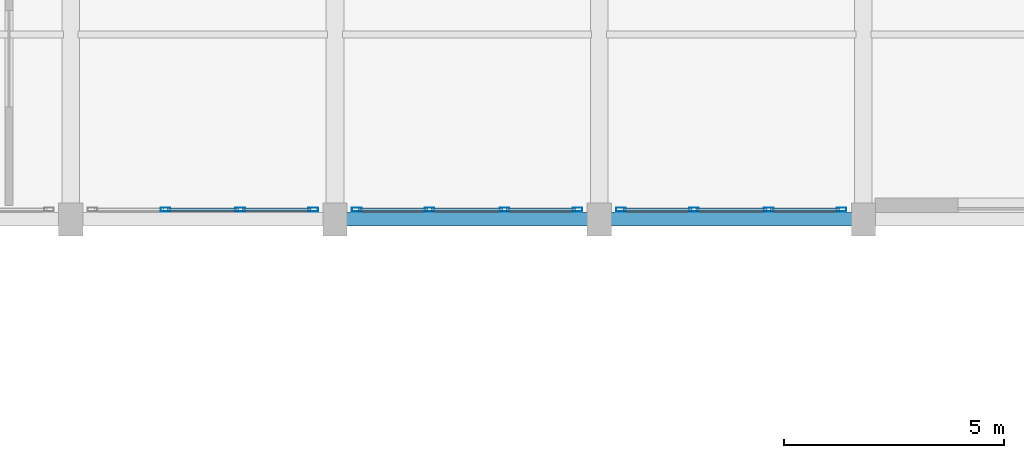
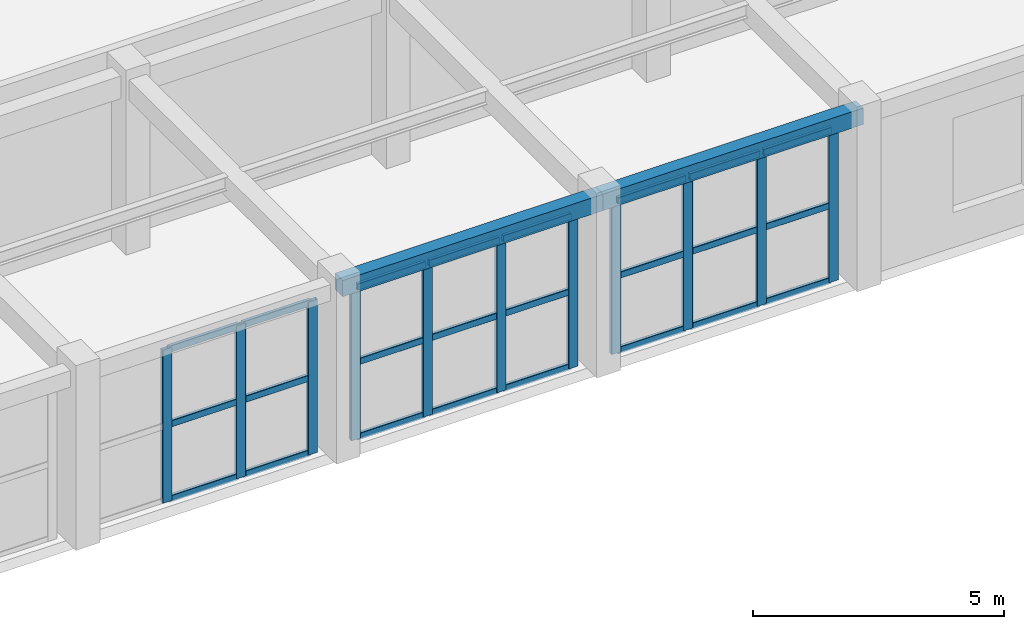
# One storey, part 53 of 91: 35 members, 2 beams, 3 elements without a shape of their own.
"""IFC4 building model written with IfcOpenShell, lengths in metres."""

import ifcopenshell
import ifcopenshell.guid

model = None  # the IFC model being written
_history = None  # IfcOwnerHistory: only IFC2X3 demands one
_inside = {}  # id of a spatial element -> (the spatial element, [elements in it])
_under = {}  # id of a project, library or spatial element -> (it, [spatial elements below it])
_declared = {}  # id of a project -> (the project, [libraries it declares])
_typed = {}  # id of a type object -> (the type object, [elements of that type])
_made_of = {}  # id of a material, layer set ... -> (it, [elements and type objects made of it])


def new_model(schema):
    """Start an empty IFC model of exactly this schema.

    Asked for "IFC4X3", IfcOpenShell would pick the latest addendum, in which some entities
    have other attributes; the version numbers below select the first issue.
    IFC2X3 requires an IfcOwnerHistory on every rooted entity: one is made here for all.
    """
    global model, _history
    if schema == "IFC4X3":
        model = ifcopenshell.file(schema_version=(4, 3, 0, 0))
    else:
        model = ifcopenshell.file(schema=schema)
    _inside.clear()
    _under.clear()
    _declared.clear()
    _typed.clear()
    _made_of.clear()
    _history = None
    if model.schema == "IFC2X3":
        org = make("IfcOrganization", Name="unknown")
        user = make(
            "IfcPersonAndOrganization",
            ThePerson=make("IfcPerson", FamilyName="unknown"),
            TheOrganization=org,
        )
        app = make(
            "IfcApplication",
            ApplicationDeveloper=org,
            Version="unknown",
            ApplicationFullName="unknown",
            ApplicationIdentifier="unknown",
        )
        _history = make(
            "IfcOwnerHistory",
            OwningUser=user,
            OwningApplication=app,
            ChangeAction="ADDED",
            CreationDate=0,
        )
    return model


def make(cls, **values):
    """One entity of the class cls with the attributes given. An attribute that is None is left unset."""
    return model.create_entity(
        cls, **{name: value for name, value in values.items() if value is not None}
    )


def rooted(cls, **values):
    """An entity with a GlobalId (a new one), such as an element, a storey or a relation."""
    return make(cls, GlobalId=ifcopenshell.guid.new(), OwnerHistory=_history, **values)


def si_unit(unit_type, name, prefix=None):
    """IfcSIUnit, for example si_unit("LENGTHUNIT", "METRE", prefix="MILLI")."""
    return make("IfcSIUnit", UnitType=unit_type, Prefix=prefix, Name=name)


def assignment(units):
    """IfcUnitAssignment: the units of a project."""
    return None if units is None else make("IfcUnitAssignment", Units=units)


def point(xyz):
    """IfcCartesianPoint."""
    return None if xyz is None else make("IfcCartesianPoint", Coordinates=xyz)


def direction(xyz):
    """IfcDirection."""
    return None if xyz is None else make("IfcDirection", DirectionRatios=xyz)


def frame(location, z_axis=None, x_axis=None):
    """IfcAxis2Placement3D, a coordinate frame: its origin and axes. An axis left out is left unset."""
    return make(
        "IfcAxis2Placement3D",
        Location=point(location),
        Axis=direction(z_axis),
        RefDirection=direction(x_axis),
    )


def frame_2d(location, x_axis=None):
    """IfcAxis2Placement2D, a coordinate frame in the plane: its origin and x axis."""
    return make(
        "IfcAxis2Placement2D", Location=point(location), RefDirection=direction(x_axis)
    )


def origin():
    """The frame at (0, 0, 0) with its axes left unset."""
    return frame((0.0, 0.0, 0.0))


def origin_2d():
    """The frame at (0, 0) in the plane with its x axis left unset."""
    return frame_2d((0.0, 0.0))


def place(relative_to, where):
    """IfcLocalPlacement: puts the frame where relative to a parent placement (None: the world)."""
    return make(
        "IfcLocalPlacement", PlacementRelTo=relative_to, RelativePlacement=where
    )


def context(
    kind, dimensions, precision=None, world=None, true_north=None, identifier=None
):
    """IfcGeometricRepresentationContext, for example the 3D "Model" context."""
    return make(
        "IfcGeometricRepresentationContext",
        ContextIdentifier=identifier,
        ContextType=kind,
        CoordinateSpaceDimension=dimensions,
        Precision=precision,
        WorldCoordinateSystem=world,
        TrueNorth=true_north,
    )


def subcontext(parent, identifier, kind, view, scale=None):
    """IfcGeometricRepresentationSubContext, for example "Body" below "Model"."""
    return make(
        "IfcGeometricRepresentationSubContext",
        ContextIdentifier=identifier,
        ContextType=kind,
        ParentContext=parent,
        TargetScale=scale,
        TargetView=view,
    )


def project(units=None, contexts=None):
    """IfcProject with its units and contexts."""
    return rooted(
        "IfcProject",
        Name="project",
        RepresentationContexts=contexts,
        UnitsInContext=assignment(units),
    )


def spatial(cls, under=None, at=None, **own):
    """A site, building, storey or space (cls), placed at a placement, below another one or the project."""
    s = rooted(cls, ObjectPlacement=at, **own)
    if under is not None:
        _under.setdefault(under.id(), (under, []))[1].append(s)
    return s


def profile(cls, at=None, kind="AREA", **sizes):
    """A parametric profile (cls). Its sizes go by their IFC names, for example OverallWidth=200.0."""
    return make(cls, ProfileType=kind, Position=at, **sizes)


def rectangle(**sizes):
    """IfcRectangleProfileDef."""
    return profile("IfcRectangleProfileDef", **sizes)


def hollow_rectangle(**sizes):
    """IfcRectangleHollowProfileDef."""
    return profile("IfcRectangleHollowProfileDef", **sizes)


def extrude(swept, where, along, depth):
    """IfcExtrudedAreaSolid: the profile swept, set in the frame where, extruded along a direction by depth."""
    return make(
        "IfcExtrudedAreaSolid",
        SweptArea=swept,
        Position=where,
        ExtrudedDirection=direction(along),
        Depth=depth,
    )


def shape(context_of_items, identifier, shape_type, items):
    """IfcShapeRepresentation: the items that make up one representation, for example the "Body"."""
    return make(
        "IfcShapeRepresentation",
        ContextOfItems=context_of_items,
        RepresentationIdentifier=identifier,
        RepresentationType=shape_type,
        Items=items,
    )


def material(Name=None, Category=None):
    """IfcMaterial."""
    return make("IfcMaterial", Name=Name, Category=Category)


def layer(
    of_material, thickness, ventilated=None, Name=None, Category=None, Priority=None
):
    """IfcMaterialLayer: one layer of a wall or slab, of a material (None: an air gap)."""
    return make(
        "IfcMaterialLayer",
        Material=of_material,
        LayerThickness=thickness,
        IsVentilated=ventilated,
        Name=Name,
        Category=Category,
        Priority=Priority,
    )


def layer_set(layers, Name=None):
    """IfcMaterialLayerSet."""
    return make("IfcMaterialLayerSet", MaterialLayers=layers, LayerSetName=Name)


def material_profile(
    of_material, cross_section, Name=None, Category=None, Priority=None
):
    """IfcMaterialProfile: a cross section and its material."""
    return make(
        "IfcMaterialProfile",
        Name=Name,
        Material=of_material,
        Profile=cross_section,
        Priority=Priority,
        Category=Category,
    )


def profile_set(profiles, Name=None, composite=None):
    """IfcMaterialProfileSet."""
    return make(
        "IfcMaterialProfileSet",
        Name=Name,
        MaterialProfiles=profiles,
        CompositeProfile=composite,
    )


def made_of(thing, what):
    """Note that an element or type object is made of a material, layer set ...; save() writes the relation."""
    if what is not None:
        _made_of.setdefault(what.id(), (what, []))[1].append(thing)
    return thing


def type_object(cls, material=None, **own):
    """A type object (cls), such as IfcWallType, which elements share."""
    return made_of(rooted(cls, **own), material)


def element(
    cls,
    number,
    at=None,
    inside=None,
    cuts=None,
    type_object=None,
    material=None,
    context=None,
    identifier="Body",
    shape_type=None,
    held_by="IfcProductDefinitionShape",
    body=None,
    shapes=None,
    **own,
):
    """One element of the class cls, such as IfcWall. Its Tag is "e" and its number.

    at: its placement. inside: the storey or other place that contains it. cuts: it is an
    opening in that element (IfcRelVoidsElement). A single representation is given by context,
    identifier, shape_type and body (its items); several are given by shapes. held_by: the class
    of the entity that holds the representations. save() writes the other relations.
    """
    e = rooted(cls, Tag="e%d" % number, ObjectPlacement=at, **own)
    if body is not None:
        shapes = [shape(context, identifier, shape_type, body)]
    if shapes is not None:
        e.Representation = make(held_by, Representations=shapes)
    if inside is not None:
        _inside.setdefault(inside.id(), (inside, []))[1].append(e)
    if cuts is not None:
        rooted(
            "IfcRelVoidsElement", RelatingBuildingElement=cuts, RelatedOpeningElement=e
        )
    if type_object is not None:
        _typed.setdefault(type_object.id(), (type_object, []))[1].append(e)
    return made_of(e, material)


def aggregate(whole, parts):
    """IfcRelAggregates: a whole, such as a stair, and the parts it consists of."""
    return rooted("IfcRelAggregates", RelatingObject=whole, RelatedObjects=parts)


def save(model, path):
    """Write the relations noted so far, then the file.

    IfcRelAggregates (storeys below a building ...), IfcRelContainedInSpatialStructure (elements
    in a storey), IfcRelDefinesByType, IfcRelAssociatesMaterial and IfcRelDeclares: one each for
    every whole, place, type object, material and project.
    """
    for whole, parts in _under.values():
        aggregate(whole, parts)
    for where, things in _inside.values():
        rooted(
            "IfcRelContainedInSpatialStructure",
            RelatedElements=things,
            RelatingStructure=where,
        )
    for kind, things in _typed.values():
        rooted("IfcRelDefinesByType", RelatedObjects=things, RelatingType=kind)
    for what, things in _made_of.values():
        rooted("IfcRelAssociatesMaterial", RelatedObjects=things, RelatingMaterial=what)
    for by, libraries in _declared.values():
        rooted("IfcRelDeclares", RelatingContext=by, RelatedDefinitions=libraries)
    model.write(path)


model = new_model("IFC4")

# Units and contexts
model_context = context("Model", 3, precision=1e-05, world=origin(), true_north=direction((0.0, 1.0)))
body_context = subcontext(model_context, "Body", "Model", "MODEL_VIEW")
ifc_project = project(units=[si_unit("LENGTHUNIT", "METRE"), si_unit("AREAUNIT", "SQUARE_METRE"), si_unit("VOLUMEUNIT", "CUBIC_METRE"), si_unit("PLANEANGLEUNIT", "RADIAN"), si_unit("MASSUNIT", "GRAM", prefix="KILO")], contexts=[model_context])

# Site, building, storey
site_placement = place(None, origin())
site = spatial("IfcSite", under=ifc_project, at=site_placement, CompositionType="ELEMENT")
building_placement = place(site_placement, origin())
building = spatial("IfcBuilding", under=site, at=building_placement, Name="Tarnavel Promenade Courthouse", CompositionType="ELEMENT")
storey_placement = place(building_placement, frame((0.0, 0.0, 9.89990234375)))
storey = spatial("IfcBuildingStorey", under=building, at=storey_placement, Name="L03", CompositionType="ELEMENT", Elevation=9.89990234375)

# Beams
ifc_material_1 = material(Name="Concrete C40/50", Category="concrete")
ifc_material_profile_1 = material_profile(ifc_material_1, rectangle(XDim=0.300048828125, YDim=0.39990234375, at=origin_2d()), Name="RC 300x400")
ifc_profile_set_1 = profile_set([ifc_material_profile_1], Name="Concrete C40/50")
beam_type = type_object("IfcBeamType", Name="Concrete C40/50 BM-SP-300x400 (RC 300x400)", PredefinedType="SPANDREL", material=ifc_profile_set_1)
for number, where, z_axis, x_axis, name in (
    (1, (132.0, 28.800048828125, 4.045166015625), (1.0, 0.0, 0.0), (0.0, 1.0, 0.0), "L03 Primary Longitudinal Beam 1544"),
    (2, (138.0, 28.800048828125, 4.045166015625), (1.0, 0.0, 0.0), (0.0, 1.0, 0.0), "L03 Primary Longitudinal Beam 1545"),
):
    element("IfcBeam", number, at=place(storey_placement, frame(where, z_axis=z_axis, x_axis=x_axis)), inside=storey, type_object=beam_type, Name=name, PredefinedType="SPANDREL", context=body_context, shape_type="SweptSolid", body=[
        extrude(rectangle(XDim=0.300048828125, YDim=0.39990234375, at=origin_2d()), origin(), (0.0, 0.0, 1.0), 6.0),
    ])

# Curtain wall, members
ifc_material_2 = material(Name="Thermally Broken Anodised Aluminium Curtain Wall System", Category="aluminium")
ifc_layer = layer(ifc_material_2, 0.199951171875)
ifc_layer_set = layer_set([ifc_layer], Name="Thermally Broken Anodised Aluminium Curtain Wall System")
curtain_wall_type = type_object("IfcCurtainWallType", Name="Thermally Broken Aluminium Triple-Glazed Curtain Wall CW-FOYER", PredefinedType="NOTDEFINED", material=ifc_layer_set)
curtain_wall_1_placement = place(storey_placement, origin())
curtain_wall_1 = element("IfcCurtainWall", 3, at=curtain_wall_1_placement, inside=storey, type_object=curtain_wall_type, Name="L03 Ceremonial Cloister Curtain Wall 178", PredefinedType="NOTDEFINED")
ifc_material_3 = material(Name="Thermally Broken Anodised Aluminium Frame", Category="aluminium")
ifc_material_profile_2 = material_profile(ifc_material_3, hollow_rectangle(XDim=0.090087890625, YDim=0.219970703125, WallThickness=0.0048828125, InnerFilletRadius=0.0048828125, OuterFilletRadius=0.010009765625, at=origin_2d()), Name="CWM 220x90x5")
ifc_profile_set_2 = profile_set([ifc_material_profile_2], Name="Thermally Broken Anodised Aluminium Frame")
member_type_1 = type_object("IfcMemberType", Name="Thermally Broken Anodised Aluminium CWM-175 (CWM 220x90x5)", PredefinedType="MULLION", material=ifc_profile_set_2)
member_1_placement = place(storey_placement, frame((128.14990234375, 29.02001953125, 0.0), z_axis=(0.0, 0.0, 1.0), x_axis=(0.0, 1.0, 0.0)))
member_1 = element("IfcMember", 4, at=member_1_placement, type_object=member_type_1, Name="CW-04 mullion 2", PredefinedType="MULLION", context=body_context, shape_type="SweptSolid", body=[
    extrude(hollow_rectangle(XDim=0.090087890625, YDim=0.219970703125, WallThickness=0.0048828125, InnerFilletRadius=0.0048828125, OuterFilletRadius=0.010009765625, at=origin_2d()), origin(), (0.0, 0.0, 1.0), 3.72998046875),
])
member_2_placement = place(storey_placement, frame((129.85009765625, 29.02001953125, 0.0), z_axis=(0.0, 0.0, 1.0), x_axis=(0.0, 1.0, 0.0)))
member_2 = element("IfcMember", 5, at=member_2_placement, type_object=member_type_1, Name="CW-04 mullion 3", PredefinedType="MULLION", context=body_context, shape_type="SweptSolid", body=[
    extrude(hollow_rectangle(XDim=0.090087890625, YDim=0.219970703125, WallThickness=0.0048828125, InnerFilletRadius=0.0048828125, OuterFilletRadius=0.010009765625, at=origin_2d()), origin(), (0.0, 0.0, 1.0), 3.72998046875),
])
member_3_placement = place(storey_placement, frame((131.5048828125, 29.02001953125, 0.0), z_axis=(0.0, 0.0, 1.0), x_axis=(0.0, 1.0, 0.0)))
member_3 = element("IfcMember", 6, at=member_3_placement, type_object=member_type_1, Name="CW-04 mullion 4", PredefinedType="MULLION", context=body_context, shape_type="SweptSolid", body=[
    extrude(hollow_rectangle(XDim=0.090087890625, YDim=0.219970703125, WallThickness=0.0048828125, InnerFilletRadius=0.0048828125, OuterFilletRadius=0.010009765625, at=origin_2d()), origin(), (0.0, 0.0, 1.0), 3.72998046875),
])

curtain_wall_2_placement = place(storey_placement, origin())
curtain_wall_2 = element("IfcCurtainWall", 7, at=curtain_wall_2_placement, inside=storey, type_object=curtain_wall_type, Name="L03 Ceremonial Cloister Curtain Wall 179", PredefinedType="NOTDEFINED")
member_4_placement = place(storey_placement, frame((132.4951171875, 29.02001953125, 0.0), z_axis=(0.0, 0.0, 1.0), x_axis=(0.0, 1.0, 0.0)))
member_4 = element("IfcMember", 8, at=member_4_placement, type_object=member_type_1, Name="CW-04 mullion 1", PredefinedType="MULLION", context=body_context, shape_type="SweptSolid", body=[
    extrude(hollow_rectangle(XDim=0.090087890625, YDim=0.219970703125, WallThickness=0.0048828125, InnerFilletRadius=0.0048828125, OuterFilletRadius=0.010009765625, at=origin_2d()), origin(), (0.0, 0.0, 1.0), 3.72998046875),
])
member_5_placement = place(storey_placement, frame((134.14990234375, 29.02001953125, 0.0), z_axis=(0.0, 0.0, 1.0), x_axis=(0.0, 1.0, 0.0)))
member_5 = element("IfcMember", 9, at=member_5_placement, type_object=member_type_1, Name="CW-04 mullion 2", PredefinedType="MULLION", context=body_context, shape_type="SweptSolid", body=[
    extrude(hollow_rectangle(XDim=0.090087890625, YDim=0.219970703125, WallThickness=0.0048828125, InnerFilletRadius=0.0048828125, OuterFilletRadius=0.010009765625, at=origin_2d()), origin(), (0.0, 0.0, 1.0), 3.72998046875),
])
member_6_placement = place(storey_placement, frame((135.85009765625, 29.02001953125, 0.0), z_axis=(0.0, 0.0, 1.0), x_axis=(0.0, 1.0, 0.0)))
member_6 = element("IfcMember", 10, at=member_6_placement, type_object=member_type_1, Name="CW-04 mullion 3", PredefinedType="MULLION", context=body_context, shape_type="SweptSolid", body=[
    extrude(hollow_rectangle(XDim=0.090087890625, YDim=0.219970703125, WallThickness=0.0048828125, InnerFilletRadius=0.0048828125, OuterFilletRadius=0.010009765625, at=origin_2d()), origin(), (0.0, 0.0, 1.0), 3.72998046875),
])
member_7_placement = place(storey_placement, frame((137.5048828125, 29.02001953125, 0.0), z_axis=(0.0, 0.0, 1.0), x_axis=(0.0, 1.0, 0.0)))
member_7 = element("IfcMember", 11, at=member_7_placement, type_object=member_type_1, Name="CW-04 mullion 4", PredefinedType="MULLION", context=body_context, shape_type="SweptSolid", body=[
    extrude(hollow_rectangle(XDim=0.090087890625, YDim=0.219970703125, WallThickness=0.0048828125, InnerFilletRadius=0.0048828125, OuterFilletRadius=0.010009765625, at=origin_2d()), origin(), (0.0, 0.0, 1.0), 3.72998046875),
])

curtain_wall_3_placement = place(storey_placement, origin())
curtain_wall_3 = element("IfcCurtainWall", 12, at=curtain_wall_3_placement, inside=storey, type_object=curtain_wall_type, Name="L03 Ceremonial Cloister Curtain Wall 180", PredefinedType="NOTDEFINED")
member_8_placement = place(storey_placement, frame((138.4951171875, 29.02001953125, 0.0), z_axis=(0.0, 0.0, 1.0), x_axis=(0.0, 1.0, 0.0)))
member_8 = element("IfcMember", 13, at=member_8_placement, type_object=member_type_1, Name="CW-04 mullion 1", PredefinedType="MULLION", context=body_context, shape_type="SweptSolid", body=[
    extrude(hollow_rectangle(XDim=0.090087890625, YDim=0.219970703125, WallThickness=0.0048828125, InnerFilletRadius=0.0048828125, OuterFilletRadius=0.010009765625, at=origin_2d()), origin(), (0.0, 0.0, 1.0), 3.72998046875),
])
member_9_placement = place(storey_placement, frame((140.14990234375, 29.02001953125, 0.0), z_axis=(0.0, 0.0, 1.0), x_axis=(0.0, 1.0, 0.0)))
member_9 = element("IfcMember", 14, at=member_9_placement, type_object=member_type_1, Name="CW-04 mullion 2", PredefinedType="MULLION", context=body_context, shape_type="SweptSolid", body=[
    extrude(hollow_rectangle(XDim=0.090087890625, YDim=0.219970703125, WallThickness=0.0048828125, InnerFilletRadius=0.0048828125, OuterFilletRadius=0.010009765625, at=origin_2d()), origin(), (0.0, 0.0, 1.0), 3.72998046875),
])
member_10_placement = place(storey_placement, frame((141.85009765625, 29.02001953125, 0.0), z_axis=(0.0, 0.0, 1.0), x_axis=(0.0, 1.0, 0.0)))
member_10 = element("IfcMember", 15, at=member_10_placement, type_object=member_type_1, Name="CW-04 mullion 3", PredefinedType="MULLION", context=body_context, shape_type="SweptSolid", body=[
    extrude(hollow_rectangle(XDim=0.090087890625, YDim=0.219970703125, WallThickness=0.0048828125, InnerFilletRadius=0.0048828125, OuterFilletRadius=0.010009765625, at=origin_2d()), origin(), (0.0, 0.0, 1.0), 3.72998046875),
])
member_11_placement = place(storey_placement, frame((143.5048828125, 29.02001953125, 0.0), z_axis=(0.0, 0.0, 1.0), x_axis=(0.0, 1.0, 0.0)))
member_11 = element("IfcMember", 16, at=member_11_placement, type_object=member_type_1, Name="CW-04 mullion 4", PredefinedType="MULLION", context=body_context, shape_type="SweptSolid", body=[
    extrude(hollow_rectangle(XDim=0.090087890625, YDim=0.219970703125, WallThickness=0.0048828125, InnerFilletRadius=0.0048828125, OuterFilletRadius=0.010009765625, at=origin_2d()), origin(), (0.0, 0.0, 1.0), 3.72998046875),
])

# Member
ifc_material_profile_3 = material_profile(ifc_material_3, hollow_rectangle(XDim=0.080078125, YDim=0.159912109375, WallThickness=0.0048828125, InnerFilletRadius=0.0048828125, OuterFilletRadius=0.010009765625, at=origin_2d()), Name="CWT 160x80x5")
ifc_profile_set_3 = profile_set([ifc_material_profile_3], Name="Thermally Broken Anodised Aluminium Frame")
member_type_2 = type_object("IfcMemberType", Name="Thermally Broken Anodised Aluminium CWT-145 (CWT 160x80x5)", PredefinedType="USERDEFINED", material=ifc_profile_set_3)
member_12_placement = place(storey_placement, frame((128.195068359375, 29.02001953125, 0.0400390625), z_axis=(1.0, 0.0, 0.0), x_axis=(0.0, 1.0, 0.0)))
member_12 = element("IfcMember", 17, at=member_12_placement, type_object=member_type_2, Name="CW-04 transom 2.1", ObjectType="TRANSOM", PredefinedType="USERDEFINED", context=body_context, shape_type="SweptSolid", body=[
    extrude(hollow_rectangle(XDim=0.080078125, YDim=0.159912109375, WallThickness=0.0048828125, InnerFilletRadius=0.0048828125, OuterFilletRadius=0.010009765625, at=origin_2d()), origin(), (0.0, 0.0, 1.0), 1.60986328125),
])

member_13_placement = place(storey_placement, frame((128.195068359375, 29.02001953125, 1.864990234375), z_axis=(1.0, 0.0, 0.0), x_axis=(0.0, 1.0, 0.0)))
member_13 = element("IfcMember", 18, at=member_13_placement, type_object=member_type_2, Name="CW-04 transom 2.2", ObjectType="TRANSOM", PredefinedType="USERDEFINED", context=body_context, shape_type="SweptSolid", body=[
    extrude(hollow_rectangle(XDim=0.080078125, YDim=0.159912109375, WallThickness=0.0048828125, InnerFilletRadius=0.0048828125, OuterFilletRadius=0.010009765625, at=origin_2d()), origin(), (0.0, 0.0, 1.0), 1.60986328125),
])

member_14_placement = place(storey_placement, frame((128.195068359375, 29.02001953125, 3.690185546875), z_axis=(1.0, 0.0, 0.0), x_axis=(0.0, 1.0, 0.0)))
member_14 = element("IfcMember", 19, at=member_14_placement, type_object=member_type_2, Name="CW-04 transom 2.3", ObjectType="TRANSOM", PredefinedType="USERDEFINED", context=body_context, shape_type="SweptSolid", body=[
    extrude(hollow_rectangle(XDim=0.080078125, YDim=0.159912109375, WallThickness=0.0048828125, InnerFilletRadius=0.0048828125, OuterFilletRadius=0.010009765625, at=origin_2d()), origin(), (0.0, 0.0, 1.0), 1.60986328125),
])

member_15_placement = place(storey_placement, frame((129.89501953125, 29.02001953125, 0.0400390625), z_axis=(1.0, 0.0, 0.0), x_axis=(0.0, 1.0, 0.0)))
member_15 = element("IfcMember", 20, at=member_15_placement, type_object=member_type_2, Name="CW-04 transom 3.1", ObjectType="TRANSOM", PredefinedType="USERDEFINED", context=body_context, shape_type="SweptSolid", body=[
    extrude(hollow_rectangle(XDim=0.080078125, YDim=0.159912109375, WallThickness=0.0048828125, InnerFilletRadius=0.0048828125, OuterFilletRadius=0.010009765625, at=origin_2d()), origin(), (0.0, 0.0, 1.0), 1.56494140625),
])

member_16_placement = place(storey_placement, frame((129.89501953125, 29.02001953125, 1.864990234375), z_axis=(1.0, 0.0, 0.0), x_axis=(0.0, 1.0, 0.0)))
member_16 = element("IfcMember", 21, at=member_16_placement, type_object=member_type_2, Name="CW-04 transom 3.2", ObjectType="TRANSOM", PredefinedType="USERDEFINED", context=body_context, shape_type="SweptSolid", body=[
    extrude(hollow_rectangle(XDim=0.080078125, YDim=0.159912109375, WallThickness=0.0048828125, InnerFilletRadius=0.0048828125, OuterFilletRadius=0.010009765625, at=origin_2d()), origin(), (0.0, 0.0, 1.0), 1.56494140625),
])

member_17_placement = place(storey_placement, frame((129.89501953125, 29.02001953125, 3.690185546875), z_axis=(1.0, 0.0, 0.0), x_axis=(0.0, 1.0, 0.0)))
member_17 = element("IfcMember", 22, at=member_17_placement, type_object=member_type_2, Name="CW-04 transom 3.3", ObjectType="TRANSOM", PredefinedType="USERDEFINED", context=body_context, shape_type="SweptSolid", body=[
    extrude(hollow_rectangle(XDim=0.080078125, YDim=0.159912109375, WallThickness=0.0048828125, InnerFilletRadius=0.0048828125, OuterFilletRadius=0.010009765625, at=origin_2d()), origin(), (0.0, 0.0, 1.0), 1.56494140625),
])

aggregate(curtain_wall_1, [member_1, member_2, member_3, member_12, member_13, member_14, member_15, member_16, member_17])

member_18_placement = place(storey_placement, frame((132.5400390625, 29.02001953125, 0.0400390625), z_axis=(1.0, 0.0, 0.0), x_axis=(0.0, 1.0, 0.0)))
member_18 = element("IfcMember", 23, at=member_18_placement, type_object=member_type_2, Name="CW-04 transom 1.1", ObjectType="TRANSOM", PredefinedType="USERDEFINED", context=body_context, shape_type="SweptSolid", body=[
    extrude(hollow_rectangle(XDim=0.080078125, YDim=0.159912109375, WallThickness=0.0048828125, InnerFilletRadius=0.0048828125, OuterFilletRadius=0.010009765625, at=origin_2d()), origin(), (0.0, 0.0, 1.0), 1.56494140625),
])

member_19_placement = place(storey_placement, frame((132.5400390625, 29.02001953125, 1.864990234375), z_axis=(1.0, 0.0, 0.0), x_axis=(0.0, 1.0, 0.0)))
member_19 = element("IfcMember", 24, at=member_19_placement, type_object=member_type_2, Name="CW-04 transom 1.2", ObjectType="TRANSOM", PredefinedType="USERDEFINED", context=body_context, shape_type="SweptSolid", body=[
    extrude(hollow_rectangle(XDim=0.080078125, YDim=0.159912109375, WallThickness=0.0048828125, InnerFilletRadius=0.0048828125, OuterFilletRadius=0.010009765625, at=origin_2d()), origin(), (0.0, 0.0, 1.0), 1.56494140625),
])

member_20_placement = place(storey_placement, frame((132.5400390625, 29.02001953125, 3.690185546875), z_axis=(1.0, 0.0, 0.0), x_axis=(0.0, 1.0, 0.0)))
member_20 = element("IfcMember", 25, at=member_20_placement, type_object=member_type_2, Name="CW-04 transom 1.3", ObjectType="TRANSOM", PredefinedType="USERDEFINED", context=body_context, shape_type="SweptSolid", body=[
    extrude(hollow_rectangle(XDim=0.080078125, YDim=0.159912109375, WallThickness=0.0048828125, InnerFilletRadius=0.0048828125, OuterFilletRadius=0.010009765625, at=origin_2d()), origin(), (0.0, 0.0, 1.0), 1.56494140625),
])

member_21_placement = place(storey_placement, frame((134.195068359375, 29.02001953125, 0.0400390625), z_axis=(1.0, 0.0, 0.0), x_axis=(0.0, 1.0, 0.0)))
member_21 = element("IfcMember", 26, at=member_21_placement, type_object=member_type_2, Name="CW-04 transom 2.1", ObjectType="TRANSOM", PredefinedType="USERDEFINED", context=body_context, shape_type="SweptSolid", body=[
    extrude(hollow_rectangle(XDim=0.080078125, YDim=0.159912109375, WallThickness=0.0048828125, InnerFilletRadius=0.0048828125, OuterFilletRadius=0.010009765625, at=origin_2d()), origin(), (0.0, 0.0, 1.0), 1.60986328125),
])

member_22_placement = place(storey_placement, frame((134.195068359375, 29.02001953125, 1.864990234375), z_axis=(1.0, 0.0, 0.0), x_axis=(0.0, 1.0, 0.0)))
member_22 = element("IfcMember", 27, at=member_22_placement, type_object=member_type_2, Name="CW-04 transom 2.2", ObjectType="TRANSOM", PredefinedType="USERDEFINED", context=body_context, shape_type="SweptSolid", body=[
    extrude(hollow_rectangle(XDim=0.080078125, YDim=0.159912109375, WallThickness=0.0048828125, InnerFilletRadius=0.0048828125, OuterFilletRadius=0.010009765625, at=origin_2d()), origin(), (0.0, 0.0, 1.0), 1.60986328125),
])

member_23_placement = place(storey_placement, frame((134.195068359375, 29.02001953125, 3.690185546875), z_axis=(1.0, 0.0, 0.0), x_axis=(0.0, 1.0, 0.0)))
member_23 = element("IfcMember", 28, at=member_23_placement, type_object=member_type_2, Name="CW-04 transom 2.3", ObjectType="TRANSOM", PredefinedType="USERDEFINED", context=body_context, shape_type="SweptSolid", body=[
    extrude(hollow_rectangle(XDim=0.080078125, YDim=0.159912109375, WallThickness=0.0048828125, InnerFilletRadius=0.0048828125, OuterFilletRadius=0.010009765625, at=origin_2d()), origin(), (0.0, 0.0, 1.0), 1.60986328125),
])

member_24_placement = place(storey_placement, frame((135.89501953125, 29.02001953125, 0.0400390625), z_axis=(1.0, 0.0, 0.0), x_axis=(0.0, 1.0, 0.0)))
member_24 = element("IfcMember", 29, at=member_24_placement, type_object=member_type_2, Name="CW-04 transom 3.1", ObjectType="TRANSOM", PredefinedType="USERDEFINED", context=body_context, shape_type="SweptSolid", body=[
    extrude(hollow_rectangle(XDim=0.080078125, YDim=0.159912109375, WallThickness=0.0048828125, InnerFilletRadius=0.0048828125, OuterFilletRadius=0.010009765625, at=origin_2d()), origin(), (0.0, 0.0, 1.0), 1.56494140625),
])

member_25_placement = place(storey_placement, frame((135.89501953125, 29.02001953125, 1.864990234375), z_axis=(1.0, 0.0, 0.0), x_axis=(0.0, 1.0, 0.0)))
member_25 = element("IfcMember", 30, at=member_25_placement, type_object=member_type_2, Name="CW-04 transom 3.2", ObjectType="TRANSOM", PredefinedType="USERDEFINED", context=body_context, shape_type="SweptSolid", body=[
    extrude(hollow_rectangle(XDim=0.080078125, YDim=0.159912109375, WallThickness=0.0048828125, InnerFilletRadius=0.0048828125, OuterFilletRadius=0.010009765625, at=origin_2d()), origin(), (0.0, 0.0, 1.0), 1.56494140625),
])

member_26_placement = place(storey_placement, frame((135.89501953125, 29.02001953125, 3.690185546875), z_axis=(1.0, 0.0, 0.0), x_axis=(0.0, 1.0, 0.0)))
member_26 = element("IfcMember", 31, at=member_26_placement, type_object=member_type_2, Name="CW-04 transom 3.3", ObjectType="TRANSOM", PredefinedType="USERDEFINED", context=body_context, shape_type="SweptSolid", body=[
    extrude(hollow_rectangle(XDim=0.080078125, YDim=0.159912109375, WallThickness=0.0048828125, InnerFilletRadius=0.0048828125, OuterFilletRadius=0.010009765625, at=origin_2d()), origin(), (0.0, 0.0, 1.0), 1.56494140625),
])

aggregate(curtain_wall_2, [member_4, member_5, member_6, member_7, member_18, member_19, member_20, member_21, member_22, member_23, member_24, member_25, member_26])

member_27_placement = place(storey_placement, frame((138.5400390625, 29.02001953125, 0.0400390625), z_axis=(1.0, 0.0, 0.0), x_axis=(0.0, 1.0, 0.0)))
member_27 = element("IfcMember", 32, at=member_27_placement, type_object=member_type_2, Name="CW-04 transom 1.1", ObjectType="TRANSOM", PredefinedType="USERDEFINED", context=body_context, shape_type="SweptSolid", body=[
    extrude(hollow_rectangle(XDim=0.080078125, YDim=0.159912109375, WallThickness=0.0048828125, InnerFilletRadius=0.0048828125, OuterFilletRadius=0.010009765625, at=origin_2d()), origin(), (0.0, 0.0, 1.0), 1.56494140625),
])

member_28_placement = place(storey_placement, frame((138.5400390625, 29.02001953125, 1.864990234375), z_axis=(1.0, 0.0, 0.0), x_axis=(0.0, 1.0, 0.0)))
member_28 = element("IfcMember", 33, at=member_28_placement, type_object=member_type_2, Name="CW-04 transom 1.2", ObjectType="TRANSOM", PredefinedType="USERDEFINED", context=body_context, shape_type="SweptSolid", body=[
    extrude(hollow_rectangle(XDim=0.080078125, YDim=0.159912109375, WallThickness=0.0048828125, InnerFilletRadius=0.0048828125, OuterFilletRadius=0.010009765625, at=origin_2d()), origin(), (0.0, 0.0, 1.0), 1.56494140625),
])

member_29_placement = place(storey_placement, frame((138.5400390625, 29.02001953125, 3.690185546875), z_axis=(1.0, 0.0, 0.0), x_axis=(0.0, 1.0, 0.0)))
member_29 = element("IfcMember", 34, at=member_29_placement, type_object=member_type_2, Name="CW-04 transom 1.3", ObjectType="TRANSOM", PredefinedType="USERDEFINED", context=body_context, shape_type="SweptSolid", body=[
    extrude(hollow_rectangle(XDim=0.080078125, YDim=0.159912109375, WallThickness=0.0048828125, InnerFilletRadius=0.0048828125, OuterFilletRadius=0.010009765625, at=origin_2d()), origin(), (0.0, 0.0, 1.0), 1.56494140625),
])

member_30_placement = place(storey_placement, frame((140.195068359375, 29.02001953125, 0.0400390625), z_axis=(1.0, 0.0, 0.0), x_axis=(0.0, 1.0, 0.0)))
member_30 = element("IfcMember", 35, at=member_30_placement, type_object=member_type_2, Name="CW-04 transom 2.1", ObjectType="TRANSOM", PredefinedType="USERDEFINED", context=body_context, shape_type="SweptSolid", body=[
    extrude(hollow_rectangle(XDim=0.080078125, YDim=0.159912109375, WallThickness=0.0048828125, InnerFilletRadius=0.0048828125, OuterFilletRadius=0.010009765625, at=origin_2d()), origin(), (0.0, 0.0, 1.0), 1.60986328125),
])

member_31_placement = place(storey_placement, frame((140.195068359375, 29.02001953125, 1.864990234375), z_axis=(1.0, 0.0, 0.0), x_axis=(0.0, 1.0, 0.0)))
member_31 = element("IfcMember", 36, at=member_31_placement, type_object=member_type_2, Name="CW-04 transom 2.2", ObjectType="TRANSOM", PredefinedType="USERDEFINED", context=body_context, shape_type="SweptSolid", body=[
    extrude(hollow_rectangle(XDim=0.080078125, YDim=0.159912109375, WallThickness=0.0048828125, InnerFilletRadius=0.0048828125, OuterFilletRadius=0.010009765625, at=origin_2d()), origin(), (0.0, 0.0, 1.0), 1.60986328125),
])

member_32_placement = place(storey_placement, frame((140.195068359375, 29.02001953125, 3.690185546875), z_axis=(1.0, 0.0, 0.0), x_axis=(0.0, 1.0, 0.0)))
member_32 = element("IfcMember", 37, at=member_32_placement, type_object=member_type_2, Name="CW-04 transom 2.3", ObjectType="TRANSOM", PredefinedType="USERDEFINED", context=body_context, shape_type="SweptSolid", body=[
    extrude(hollow_rectangle(XDim=0.080078125, YDim=0.159912109375, WallThickness=0.0048828125, InnerFilletRadius=0.0048828125, OuterFilletRadius=0.010009765625, at=origin_2d()), origin(), (0.0, 0.0, 1.0), 1.60986328125),
])

member_33_placement = place(storey_placement, frame((141.89501953125, 29.02001953125, 0.0400390625), z_axis=(1.0, 0.0, 0.0), x_axis=(0.0, 1.0, 0.0)))
member_33 = element("IfcMember", 38, at=member_33_placement, type_object=member_type_2, Name="CW-04 transom 3.1", ObjectType="TRANSOM", PredefinedType="USERDEFINED", context=body_context, shape_type="SweptSolid", body=[
    extrude(hollow_rectangle(XDim=0.080078125, YDim=0.159912109375, WallThickness=0.0048828125, InnerFilletRadius=0.0048828125, OuterFilletRadius=0.010009765625, at=origin_2d()), origin(), (0.0, 0.0, 1.0), 1.56494140625),
])

member_34_placement = place(storey_placement, frame((141.89501953125, 29.02001953125, 1.864990234375), z_axis=(1.0, 0.0, 0.0), x_axis=(0.0, 1.0, 0.0)))
member_34 = element("IfcMember", 39, at=member_34_placement, type_object=member_type_2, Name="CW-04 transom 3.2", ObjectType="TRANSOM", PredefinedType="USERDEFINED", context=body_context, shape_type="SweptSolid", body=[
    extrude(hollow_rectangle(XDim=0.080078125, YDim=0.159912109375, WallThickness=0.0048828125, InnerFilletRadius=0.0048828125, OuterFilletRadius=0.010009765625, at=origin_2d()), origin(), (0.0, 0.0, 1.0), 1.56494140625),
])

member_35_placement = place(storey_placement, frame((141.89501953125, 29.02001953125, 3.690185546875), z_axis=(1.0, 0.0, 0.0), x_axis=(0.0, 1.0, 0.0)))
member_35 = element("IfcMember", 40, at=member_35_placement, type_object=member_type_2, Name="CW-04 transom 3.3", ObjectType="TRANSOM", PredefinedType="USERDEFINED", context=body_context, shape_type="SweptSolid", body=[
    extrude(hollow_rectangle(XDim=0.080078125, YDim=0.159912109375, WallThickness=0.0048828125, InnerFilletRadius=0.0048828125, OuterFilletRadius=0.010009765625, at=origin_2d()), origin(), (0.0, 0.0, 1.0), 1.56494140625),
])

aggregate(curtain_wall_3, [member_8, member_9, member_10, member_11, member_27, member_28, member_29, member_30, member_31, member_32, member_33, member_34, member_35])

save(model, "model.ifc")
